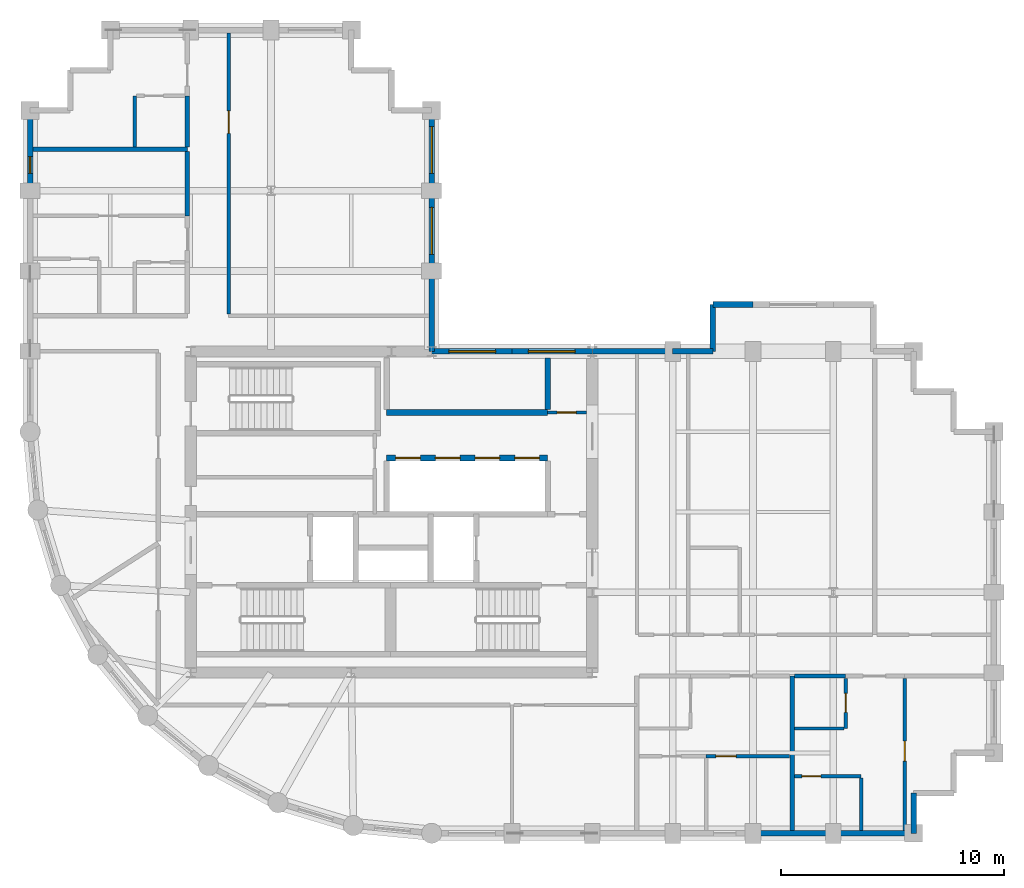
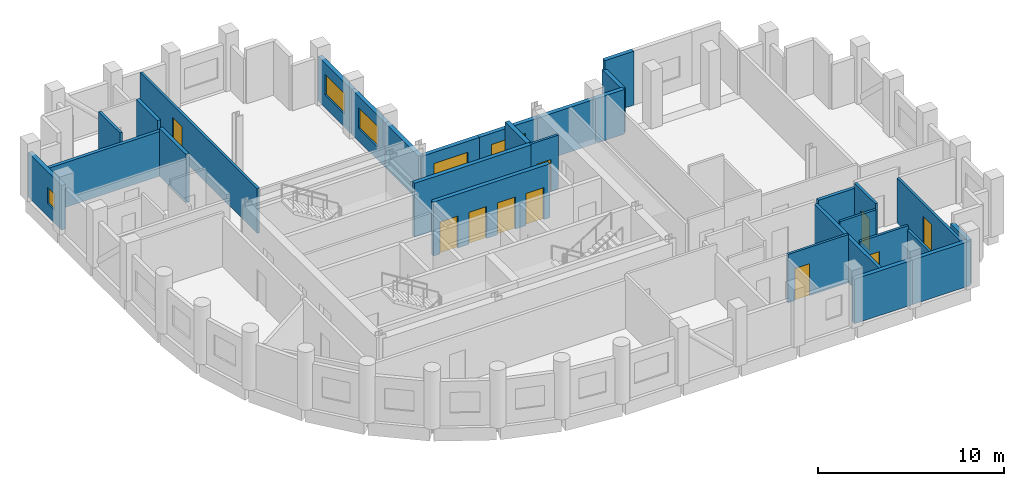
# One storey, part 5 of 8: 30 walls, 10 doors, 5 windows, 15 openings.
"""IFC4 building model written with IfcOpenShell, lengths in metres."""

from ifc_helpers import new_model, si_unit, direction, frame, frame_2d, origin, place, context, subcontext, project, spatial, rectangle, extrude, material, layer, layer_set, type_object, element, fill, save


model = new_model("IFC4")

# Units and contexts
model_context = context("Model", 3, precision=1e-05, world=origin(), true_north=direction((0.0, 1.0)))
body_context = subcontext(model_context, "Body", "Model", "MODEL_VIEW")
ifc_project = project(units=[si_unit("LENGTHUNIT", "METRE"), si_unit("AREAUNIT", "SQUARE_METRE"), si_unit("VOLUMEUNIT", "CUBIC_METRE"), si_unit("PLANEANGLEUNIT", "RADIAN"), si_unit("MASSUNIT", "GRAM", prefix="KILO")], contexts=[model_context])

# Site, building, storey
site_placement = place(None, origin())
site = spatial("IfcSite", under=ifc_project, at=site_placement, CompositionType="ELEMENT")
building_placement = place(site_placement, origin())
building = spatial("IfcBuilding", under=site, at=building_placement, Name="Solnavia Interchange Tower", CompositionType="ELEMENT")
storey_placement = place(building_placement, frame((0.0, 0.0, 186.199951171875)))
storey = spatial("IfcBuildingStorey", under=building, at=storey_placement, Name="L46", CompositionType="ELEMENT", Elevation=186.199951171875)

# Walls
ifc_material_1 = material(Name="Gypsum Acoustic Twin-Stud & Mineral Wool", Category="gypsum")
ifc_layer_1 = layer(ifc_material_1, 0.199951171875)
ifc_layer_set_1 = layer_set([ifc_layer_1], Name="Gypsum Acoustic Twin-Stud & Mineral Wool")
wall_type_1 = type_object("IfcWallType", Name="Wall-ApartmentParty-200", PredefinedType="PARTITIONING", material=ifc_layer_set_1)
wall_1_placement = place(storey_placement, frame((41.35009765625, 3.72900390625, 0.0), z_axis=(0.0, 0.0, 1.0), x_axis=(0.0, 1.0, 0.0)))
element("IfcWall", 1, at=wall_1_placement, inside=storey, type_object=wall_type_1, Name="PTW-L46-16 Interior partition wall", PredefinedType="PARTITIONING", context=body_context, shape_type="SweptSolid", body=[
    extrude(rectangle(XDim=6.9208984375, YDim=0.199951171875, at=frame_2d((3.46044921875, 0.0))), origin(), (0.0, 0.0, 1.0), 2.929931640625),
])
wall_2_placement = place(storey_placement, frame((41.4541015625, 10.64990234375, 0.0), z_axis=(0.0, 0.0, 1.0), x_axis=(1.0, 0.0, 0.0)))
element("IfcWall", 2, at=wall_2_placement, inside=storey, type_object=wall_type_1, Name="PTW-L46-24 Interior partition wall", PredefinedType="PARTITIONING", context=body_context, shape_type="SweptSolid", body=[
    extrude(rectangle(XDim=2.2958984375, YDim=0.199951171875, at=frame_2d((1.14794921875, 0.0))), origin(), (0.0, 0.0, 1.0), 3.170166015625),
])
wall_3_placement = place(storey_placement, frame((7.3291015625, 34.25, 0.0), z_axis=(0.0, 0.0, 1.0), x_axis=(1.0, 0.0, 0.0)))
element("IfcWall", 3, at=wall_3_placement, inside=storey, type_object=wall_type_1, Name="PTW-L46-36 Interior partition wall", PredefinedType="PARTITIONING", context=body_context, shape_type="SweptSolid", body=[
    extrude(rectangle(XDim=6.9208984375, YDim=0.199951171875, at=frame_2d((3.46044921875, 0.0))), origin(), (0.0, 0.0, 1.0), 2.929931640625),
])
wall_4_placement = place(storey_placement, frame((14.25, 31.27001953125, 0.0), z_axis=(0.0, 0.0, 1.0), x_axis=(0.0, 1.0, 0.0)))
element("IfcWall", 4, at=wall_4_placement, inside=storey, type_object=wall_type_1, Name="PTW-L46-41 Interior partition wall", PredefinedType="PARTITIONING", context=body_context, shape_type="SweptSolid", body=[
    extrude(rectangle(XDim=2.8759765625, YDim=0.199951171875, at=frame_2d((1.43798828125, 0.0))), origin(), (0.0, 0.0, 1.0), 3.170166015625),
])
wall_5_placement = place(storey_placement, frame((14.25, 34.35400390625, 0.0), z_axis=(0.0, 0.0, 1.0), x_axis=(0.0, 1.0, 0.0)))
element("IfcWall", 5, at=wall_5_placement, inside=storey, type_object=wall_type_1, Name="PTW-L46-45 Interior partition wall", PredefinedType="PARTITIONING", context=body_context, shape_type="SweptSolid", body=[
    extrude(rectangle(XDim=2.2958984375, YDim=0.199951171875, at=frame_2d((1.14794921875, 0.0))), origin(), (0.0, 0.0, 1.0), 3.53515625),
])
ifc_material_2 = material(Name="Concrete C40/50", Category="concrete")
ifc_layer_2 = layer(ifc_material_2, 0.25)
ifc_layer_set_2 = layer_set([ifc_layer_2], Name="Concrete C40/50")
wall_type_2 = type_object("IfcWallType", Name="Wall-ExtSpandrel-250", PredefinedType="STANDARD", material=ifc_layer_set_2)
wall_6_placement = place(storey_placement, frame((43.199951171875, 3.60009765625, 0.0), z_axis=(0.0, 0.0, 1.0), x_axis=(-1.0, 0.0, 0.0)))
element("IfcWall", 6, at=wall_6_placement, inside=storey, type_object=wall_type_2, Name="EXW-L46-05 Exterior precast spandrel wall", PredefinedType="STANDARD", context=body_context, shape_type="SweptSolid", body=[
    extrude(rectangle(XDim=3.599853515625, YDim=0.25, at=frame_2d((1.7998046875, 0.0))), origin(), (0.0, 0.0, 1.0), 2.929931640625),
])
wall_7_placement = place(storey_placement, frame((46.800048828125, 3.60009765625, 0.0), z_axis=(0.0, 0.0, 1.0), x_axis=(-1.0, 0.0, 0.0)))
element("IfcWall", 7, at=wall_7_placement, inside=storey, type_object=wall_type_2, Name="EXW-L46-06 Exterior precast spandrel wall", PredefinedType="STANDARD", context=body_context, shape_type="SweptSolid", body=[
    extrude(rectangle(XDim=3.60009765625, YDim=0.25, at=frame_2d((1.800048828125, 0.0))), origin(), (0.0, 0.0, 1.0), 2.929931640625),
])
wall_8_placement = place(storey_placement, frame((46.800048828125, 5.39990234375, 0.0), z_axis=(0.0, 0.0, 1.0), x_axis=(0.0, -1.0, 0.0)))
element("IfcWall", 8, at=wall_8_placement, inside=storey, type_object=wall_type_2, Name="EXW-L46-07 Exterior precast spandrel wall", PredefinedType="STANDARD", context=body_context, shape_type="SweptSolid", body=[
    extrude(rectangle(XDim=1.7998046875, YDim=0.25, at=frame_2d((0.89990234375, 0.0))), origin(), (0.0, 0.0, 1.0), 2.929931640625),
])
wall_9_placement = place(storey_placement, frame((37.800048828125, 27.300048828125, 0.0), z_axis=(0.0, 0.0, 1.0), x_axis=(1.0, 0.0, 0.0)))
element("IfcWall", 9, at=wall_9_placement, inside=storey, type_object=wall_type_2, Name="EXW-L46-23 Exterior precast spandrel wall", PredefinedType="STANDARD", context=body_context, shape_type="SweptSolid", body=[
    extrude(rectangle(XDim=1.800048828125, YDim=0.25, at=frame_2d((0.89990234375, 0.0))), origin(), (0.0, 0.0, 1.0), 3.53515625),
])
wall_10_placement = place(storey_placement, frame((37.800048828125, 27.300048828125, 0.0), z_axis=(0.0, 0.0, 1.0), x_axis=(0.0, -1.0, 0.0)))
element("IfcWall", 10, at=wall_10_placement, inside=storey, type_object=wall_type_2, Name="EXW-L46-24 Exterior precast spandrel wall", PredefinedType="STANDARD", context=body_context, shape_type="SweptSolid", body=[
    extrude(rectangle(XDim=2.10009765625, YDim=0.25, at=frame_2d((1.050048828125, 0.0))), origin(), (0.0, 0.0, 1.0), 2.929931640625),
])
wall_11_placement = place(storey_placement, frame((36.0, 25.199951171875, 0.0), z_axis=(0.0, 0.0, 1.0), x_axis=(1.0, 0.0, 0.0)))
element("IfcWall", 11, at=wall_11_placement, inside=storey, type_object=wall_type_2, Name="EXW-L46-25 Exterior precast spandrel wall", PredefinedType="STANDARD", context=body_context, shape_type="SweptSolid", body=[
    extrude(rectangle(XDim=1.800048828125, YDim=0.25, at=frame_2d((0.89990234375, 0.0))), origin(), (0.0, 0.0, 1.0), 2.929931640625),
])
wall_12_placement = place(storey_placement, frame((32.39990234375, 25.199951171875, 0.0), z_axis=(0.0, 0.0, 1.0), x_axis=(1.0, 0.0, 0.0)))
element("IfcWall", 12, at=wall_12_placement, inside=storey, type_object=wall_type_2, Name="EXW-L46-26 Exterior precast spandrel wall", PredefinedType="STANDARD", context=body_context, shape_type="SweptSolid", body=[
    extrude(rectangle(XDim=3.60009765625, YDim=0.25, at=frame_2d((1.800048828125, 0.0))), origin(), (0.0, 0.0, 1.0), 2.929931640625),
])

# Wall, opening, window
wall_13_placement = place(storey_placement, frame((28.800048828125, 25.199951171875, 0.0), z_axis=(0.0, 0.0, 1.0), x_axis=(1.0, 0.0, 0.0)))
wall_13 = element("IfcWall", 13, at=wall_13_placement, inside=storey, type_object=wall_type_2, Name="EXW-L46-27 Exterior precast spandrel wall", PredefinedType="STANDARD", context=body_context, shape_type="SweptSolid", body=[
    extrude(rectangle(XDim=3.599853515625, YDim=0.25, at=frame_2d((1.7998046875, 0.0))), origin(), (0.0, 0.0, 1.0), 2.929931640625),
])
opening_1_placement = place(wall_13_placement, frame((0.73388671875, 0.0, 0.85009765625)))
opening_1 = element("IfcOpeningElement", 14, at=opening_1_placement, cuts=wall_13, Name="Opening WIN-01", PredefinedType="OPENING", context=body_context, shape_type="SweptSolid", body=[
    extrude(rectangle(XDim=2.10009765625, YDim=1.35009765625, at=frame_2d((1.050048828125, 0.675048828125))), frame((0.0, 0.135009765625, 0.0), z_axis=(0.0, -1.0, 0.0), x_axis=(1.0, 0.0, 0.0)), (0.0, 0.0, 1.0), 0.27001953125),
])
ifc_material_3 = material(Name="Thermal-Break Aluminium & Low-E Glass", Category="aluminium")
window_type_1 = type_object("IfcWindowType", Name="Window-Ribbon-2100x1350", PartitioningType="SINGLE_PANEL", PredefinedType="WINDOW", material=ifc_material_3)
window_1_placement = place(opening_1_placement, origin())
window_1 = element("IfcWindow", 15, at=window_1_placement, inside=storey, type_object=window_type_1, Name="WIN-L46-27 Facade ribbon window", OverallHeight=1.35009765625, OverallWidth=2.10009765625, PartitioningType="SINGLE_PANEL", PredefinedType="WINDOW", context=body_context, shape_type="SweptSolid", body=[
    extrude(rectangle(XDim=2.10009765625, YDim=1.35009765625, at=frame_2d((1.050048828125, 0.675048828125))), frame((0.0, 0.030029296875, 0.0), z_axis=(0.0, -1.0, 0.0), x_axis=(1.0, 0.0, 0.0)), (0.0, 0.0, 1.0), 0.06005859375),
])
fill(opening_1, window_1)

wall_14_placement = place(storey_placement, frame((25.199951171875, 25.199951171875, 0.0), z_axis=(0.0, 0.0, 1.0), x_axis=(1.0, 0.0, 0.0)))
wall_14 = element("IfcWall", 16, at=wall_14_placement, inside=storey, type_object=wall_type_2, Name="EXW-L46-28 Exterior precast spandrel wall", PredefinedType="STANDARD", context=body_context, shape_type="SweptSolid", body=[
    extrude(rectangle(XDim=3.60009765625, YDim=0.25, at=frame_2d((1.800048828125, 0.0))), origin(), (0.0, 0.0, 1.0), 2.929931640625),
])
opening_2_placement = place(wall_14_placement, frame((0.76611328125, 0.0, 0.85009765625)))
opening_2 = element("IfcOpeningElement", 17, at=opening_2_placement, cuts=wall_14, Name="Opening WIN-01", PredefinedType="OPENING", context=body_context, shape_type="SweptSolid", body=[
    extrude(rectangle(XDim=2.10009765625, YDim=1.35009765625, at=frame_2d((1.050048828125, 0.675048828125))), frame((0.0, 0.135009765625, 0.0), z_axis=(0.0, -1.0, 0.0), x_axis=(1.0, 0.0, 0.0)), (0.0, 0.0, 1.0), 0.27001953125),
])
window_2_placement = place(opening_2_placement, origin())
window_2 = element("IfcWindow", 18, at=window_2_placement, inside=storey, type_object=window_type_1, Name="WIN-L46-28 Facade ribbon window", OverallHeight=1.35009765625, OverallWidth=2.10009765625, PartitioningType="SINGLE_PANEL", PredefinedType="WINDOW", context=body_context, shape_type="SweptSolid", body=[
    extrude(rectangle(XDim=2.10009765625, YDim=1.35009765625, at=frame_2d((1.050048828125, 0.675048828125))), frame((0.0, 0.030029296875, 0.0), z_axis=(0.0, -1.0, 0.0), x_axis=(1.0, 0.0, 0.0)), (0.0, 0.0, 1.0), 0.06005859375),
])
fill(opening_2, window_2)

# Wall
wall_15_placement = place(storey_placement, frame((25.199951171875, 25.199951171875, 0.0), z_axis=(0.0, 0.0, 1.0), x_axis=(0.0, 1.0, 0.0)))
element("IfcWall", 19, at=wall_15_placement, inside=storey, type_object=wall_type_2, Name="EXW-L46-29 Exterior precast spandrel wall", PredefinedType="STANDARD", context=body_context, shape_type="SweptSolid", body=[
    extrude(rectangle(XDim=3.60009765625, YDim=0.25, at=frame_2d((1.800048828125, 0.0))), origin(), (0.0, 0.0, 1.0), 2.929931640625),
])

# Wall, opening, window
wall_16_placement = place(storey_placement, frame((25.199951171875, 28.800048828125, 0.0), z_axis=(0.0, 0.0, 1.0), x_axis=(0.0, 1.0, 0.0)))
wall_16 = element("IfcWall", 20, at=wall_16_placement, inside=storey, type_object=wall_type_2, Name="EXW-L46-30 Exterior precast spandrel wall", PredefinedType="STANDARD", context=body_context, shape_type="SweptSolid", body=[
    extrude(rectangle(XDim=3.599853515625, YDim=0.25, at=frame_2d((1.7998046875, 0.0))), origin(), (0.0, 0.0, 1.0), 2.929931640625),
])
opening_3_placement = place(wall_16_placement, frame((0.75, 0.0, 0.85009765625)))
opening_3 = element("IfcOpeningElement", 21, at=opening_3_placement, cuts=wall_16, Name="Opening WIN-01", PredefinedType="OPENING", context=body_context, shape_type="SweptSolid", body=[
    extrude(rectangle(XDim=2.10009765625, YDim=1.35009765625, at=frame_2d((1.050048828125, 0.675048828125))), frame((0.0, 0.135009765625, 0.0), z_axis=(0.0, -1.0, 0.0), x_axis=(1.0, 0.0, 0.0)), (0.0, 0.0, 1.0), 0.27001953125),
])
window_3_placement = place(opening_3_placement, origin())
window_3 = element("IfcWindow", 22, at=window_3_placement, inside=storey, type_object=window_type_1, Name="WIN-L46-30 Facade ribbon window", OverallHeight=1.35009765625, OverallWidth=2.10009765625, PartitioningType="SINGLE_PANEL", PredefinedType="WINDOW", context=body_context, shape_type="SweptSolid", body=[
    extrude(rectangle(XDim=2.10009765625, YDim=1.35009765625, at=frame_2d((1.050048828125, 0.675048828125))), frame((0.0, 0.030029296875, 0.0), z_axis=(0.0, -1.0, 0.0), x_axis=(1.0, 0.0, 0.0)), (0.0, 0.0, 1.0), 0.06005859375),
])
fill(opening_3, window_3)

wall_17_placement = place(storey_placement, frame((25.199951171875, 32.39990234375, 0.0), z_axis=(0.0, 0.0, 1.0), x_axis=(0.0, 1.0, 0.0)))
wall_17 = element("IfcWall", 23, at=wall_17_placement, inside=storey, type_object=wall_type_2, Name="EXW-L46-31 Exterior precast spandrel wall", PredefinedType="STANDARD", context=body_context, shape_type="SweptSolid", body=[
    extrude(rectangle(XDim=3.60009765625, YDim=0.25, at=frame_2d((1.800048828125, 0.0))), origin(), (0.0, 0.0, 1.0), 2.929931640625),
])
opening_4_placement = place(wall_17_placement, frame((0.77490234375, 0.0, 0.85009765625)))
opening_4 = element("IfcOpeningElement", 24, at=opening_4_placement, cuts=wall_17, Name="Opening WIN-01", PredefinedType="OPENING", context=body_context, shape_type="SweptSolid", body=[
    extrude(rectangle(XDim=2.10009765625, YDim=1.35009765625, at=frame_2d((1.050048828125, 0.675048828125))), frame((0.0, 0.135009765625, 0.0), z_axis=(0.0, -1.0, 0.0), x_axis=(1.0, 0.0, 0.0)), (0.0, 0.0, 1.0), 0.27001953125),
])
window_4_placement = place(opening_4_placement, origin())
window_4 = element("IfcWindow", 25, at=window_4_placement, inside=storey, type_object=window_type_1, Name="WIN-L46-31 Facade ribbon window", OverallHeight=1.35009765625, OverallWidth=2.10009765625, PartitioningType="SINGLE_PANEL", PredefinedType="WINDOW", context=body_context, shape_type="SweptSolid", body=[
    extrude(rectangle(XDim=2.10009765625, YDim=1.35009765625, at=frame_2d((1.050048828125, 0.675048828125))), frame((0.0, 0.030029296875, 0.0), z_axis=(0.0, -1.0, 0.0), x_axis=(1.0, 0.0, 0.0)), (0.0, 0.0, 1.0), 0.06005859375),
])
fill(opening_4, window_4)

wall_18_placement = place(storey_placement, frame((7.199951171875, 32.39990234375, 0.0), z_axis=(0.0, 0.0, 1.0), x_axis=(0.0, 1.0, 0.0)))
wall_18 = element("IfcWall", 26, at=wall_18_placement, inside=storey, type_object=wall_type_2, Name="EXW-L46-43 Exterior precast spandrel wall", PredefinedType="STANDARD", context=body_context, shape_type="SweptSolid", body=[
    extrude(rectangle(XDim=3.60009765625, YDim=0.25, at=frame_2d((1.800048828125, 0.0))), origin(), (0.0, 0.0, 1.0), 2.929931640625),
])
opening_5_placement = place(wall_18_placement, frame((0.77294921875, 0.0, 0.85009765625)))
opening_5 = element("IfcOpeningElement", 27, at=opening_5_placement, cuts=wall_18, Name="Opening WIN-08", PredefinedType="OPENING", context=body_context, shape_type="SweptSolid", body=[
    extrude(rectangle(XDim=0.75, YDim=1.050048828125, at=frame_2d((0.375, 0.52490234375))), frame((0.0, 0.135009765625, 0.0), z_axis=(0.0, -1.0, 0.0), x_axis=(1.0, 0.0, 0.0)), (0.0, 0.0, 1.0), 0.27001953125),
])
window_type_2 = type_object("IfcWindowType", Name="Window-Bedroom-750x1050", PartitioningType="SINGLE_PANEL", PredefinedType="WINDOW", material=ifc_material_3)
window_5_placement = place(opening_5_placement, origin())
window_5 = element("IfcWindow", 28, at=window_5_placement, inside=storey, type_object=window_type_2, Name="WIN-L46-DW02 Dwelling bedroom window", OverallHeight=1.050048828125, OverallWidth=0.75, PartitioningType="SINGLE_PANEL", PredefinedType="WINDOW", context=body_context, shape_type="SweptSolid", body=[
    extrude(rectangle(XDim=0.75, YDim=1.050048828125, at=frame_2d((0.375, 0.52490234375))), frame((0.0, 0.030029296875, 0.0), z_axis=(0.0, -1.0, 0.0), x_axis=(1.0, 0.0, 0.0)), (0.0, 0.0, 1.0), 0.06005859375),
])
fill(opening_5, window_5)

# Wall, opening, door
ifc_material_4 = material(Name="Gypsum Plasterboard & Steel Stud", Category="steel")
ifc_layer_3 = layer(ifc_material_4, 0.14990234375)
ifc_layer_set_3 = layer_set([ifc_layer_3], Name="Gypsum Plasterboard & Steel Stud")
wall_type_3 = type_object("IfcWallType", Name="Wall-Partition-150", PredefinedType="PARTITIONING", material=ifc_layer_set_3)
wall_19_placement = place(storey_placement, frame((30.39990234375, 22.4599609375, 0.0), z_axis=(0.0, 0.0, 1.0), x_axis=(1.0, 0.0, 0.0)))
wall_19 = element("IfcWall", 29, at=wall_19_placement, inside=storey, type_object=wall_type_3, Name="CSW-L46-NE-S Core shaft wall", PredefinedType="PARTITIONING", context=body_context, shape_type="SweptSolid", body=[
    extrude(rectangle(XDim=1.75, YDim=0.14990234375, at=frame_2d((0.875, 0.0))), origin(), (0.0, 0.0, 1.0), 3.53515625),
])
opening_6_placement = place(wall_19_placement, frame((0.419921875, 0.0, 0.0)))
opening_6 = element("IfcOpeningElement", 30, at=opening_6_placement, cuts=wall_19, Name="Opening DR-10", PredefinedType="OPENING", context=body_context, shape_type="SweptSolid", body=[
    extrude(rectangle(XDim=0.85009765625, YDim=2.10009765625, at=frame_2d((0.425048828125, 1.050048828125))), frame((0.0, 0.0849609375, 0.0), z_axis=(0.0, -1.0, 0.0), x_axis=(1.0, 0.0, 0.0)), (0.0, 0.0, 1.0), 0.169921875),
])
ifc_material_5 = material(Name="Moisture-Resistant Timber Door", Category="wood")
door_type_1 = type_object("IfcDoorType", Name="Door-Bathroom-850x2100", OperationType="SINGLE_SWING_RIGHT", PredefinedType="DOOR", material=ifc_material_5)
door_1_placement = place(opening_6_placement, origin())
door_1 = element("IfcDoor", 31, at=door_1_placement, inside=storey, type_object=door_type_1, Name="DR-L46-CS3 Core fire door", OperationType="SINGLE_SWING_RIGHT", OverallHeight=2.10009765625, OverallWidth=0.85009765625, PredefinedType="DOOR", context=body_context, shape_type="SweptSolid", body=[
    extrude(rectangle(XDim=0.85009765625, YDim=2.10009765625, at=frame_2d((0.425048828125, 1.050048828125))), frame((0.0, 0.02490234375, 0.0), z_axis=(0.0, -1.0, 0.0), x_axis=(1.0, 0.0, 0.0)), (0.0, 0.0, 1.0), 0.050048828125),
])
fill(opening_6, door_1)

wall_20_placement = place(storey_placement, frame((37.5, 7.050048828125, 0.0), z_axis=(0.0, 0.0, 1.0), x_axis=(1.0, 0.0, 0.0)))
wall_20 = element("IfcWall", 32, at=wall_20_placement, inside=storey, type_object=wall_type_3, Name="PTW-L46-21 Interior partition wall", PredefinedType="PARTITIONING", context=body_context, shape_type="SweptSolid", body=[
    extrude(rectangle(XDim=3.74609375, YDim=0.14990234375, at=frame_2d((1.873046875, 0.0))), origin(), (0.0, 0.0, 1.0), 3.170166015625),
])
opening_7_placement = place(wall_20_placement, frame((0.43994140625, 0.0, 0.0)))
opening_7 = element("IfcOpeningElement", 33, at=opening_7_placement, cuts=wall_20, Name="Opening DR-09", PredefinedType="OPENING", context=body_context, shape_type="SweptSolid", body=[
    extrude(rectangle(XDim=0.89990234375, YDim=2.10009765625, at=frame_2d((0.449951171875, 1.050048828125))), frame((0.0, 0.0849609375, 0.0), z_axis=(0.0, -1.0, 0.0), x_axis=(1.0, 0.0, 0.0)), (0.0, 0.0, 1.0), 0.169921875),
])
ifc_material_6 = material(Name="Engineered Oak Veneer Door", Category="wood")
door_type_2 = type_object("IfcDoorType", Name="Door-Internal-900x2100", OperationType="SINGLE_SWING_LEFT", PredefinedType="DOOR", material=ifc_material_6)
door_2_placement = place(opening_7_placement, origin())
door_2 = element("IfcDoor", 34, at=door_2_placement, inside=storey, type_object=door_type_2, Name="DR-L46-09 Interior room door", OperationType="SINGLE_SWING_RIGHT", OverallHeight=2.10009765625, OverallWidth=0.89990234375, PredefinedType="DOOR", context=body_context, shape_type="SweptSolid", body=[
    extrude(rectangle(XDim=0.89990234375, YDim=2.10009765625, at=frame_2d((0.449951171875, 1.050048828125))), frame((0.0, 0.02490234375, 0.0), z_axis=(0.0, -1.0, 0.0), x_axis=(1.0, 0.0, 0.0)), (0.0, 0.0, 1.0), 0.050048828125),
])
fill(opening_7, door_2)

wall_21_placement = place(storey_placement, frame((46.39990234375, 3.72900390625, 0.0), z_axis=(0.0, 0.0, 1.0), x_axis=(0.0, 1.0, 0.0)))
wall_21 = element("IfcWall", 35, at=wall_21_placement, inside=storey, type_object=wall_type_3, Name="PTW-L46-29 Interior partition wall", PredefinedType="PARTITIONING", context=body_context, shape_type="SweptSolid", body=[
    extrude(rectangle(XDim=6.81689453125, YDim=0.14990234375, at=frame_2d((3.408447265625, 0.0))), origin(), (0.0, 0.0, 1.0), 2.929931640625),
])
opening_8_placement = place(wall_21_placement, frame((3.10595703125, 0.0, 0.0)))
opening_8 = element("IfcOpeningElement", 36, at=opening_8_placement, cuts=wall_21, Name="Opening DR-09", PredefinedType="OPENING", context=body_context, shape_type="SweptSolid", body=[
    extrude(rectangle(XDim=0.89990234375, YDim=2.10009765625, at=frame_2d((0.449951171875, 1.050048828125))), frame((0.0, 0.0849609375, 0.0), z_axis=(0.0, -1.0, 0.0), x_axis=(1.0, 0.0, 0.0)), (0.0, 0.0, 1.0), 0.169921875),
])
door_3_placement = place(opening_8_placement, origin())
door_3 = element("IfcDoor", 37, at=door_3_placement, inside=storey, type_object=door_type_2, Name="DR-L46-13 Interior room door", OperationType="SINGLE_SWING_RIGHT", OverallHeight=2.10009765625, OverallWidth=0.89990234375, PredefinedType="DOOR", context=body_context, shape_type="SweptSolid", body=[
    extrude(rectangle(XDim=0.89990234375, YDim=2.10009765625, at=frame_2d((0.449951171875, 1.050048828125))), frame((0.0, 0.02490234375, 0.0), z_axis=(0.0, -1.0, 0.0), x_axis=(1.0, 0.0, 0.0)), (0.0, 0.0, 1.0), 0.050048828125),
])
fill(opening_8, door_3)

wall_22_placement = place(storey_placement, frame((16.10009765625, 26.87890625, 0.0), z_axis=(0.0, 0.0, 1.0), x_axis=(0.0, 1.0, 0.0)))
wall_22 = element("IfcWall", 38, at=wall_22_placement, inside=storey, type_object=wall_type_3, Name="PTW-L46-50 Interior partition wall", PredefinedType="PARTITIONING", context=body_context, shape_type="SweptSolid", body=[
    extrude(rectangle(XDim=12.592041015625, YDim=0.14990234375, at=frame_2d((6.2958984375, 0.0))), origin(), (0.0, 0.0, 1.0), 2.929931640625),
])
opening_9_placement = place(wall_22_placement, frame((8.093017578125, 0.0, 0.0)))
opening_9 = element("IfcOpeningElement", 39, at=opening_9_placement, cuts=wall_22, Name="Opening DR-07", PredefinedType="OPENING", context=body_context, shape_type="SweptSolid", body=[
    extrude(rectangle(XDim=1.0, YDim=2.10009765625, at=frame_2d((0.5, 1.050048828125))), frame((0.0, 0.0849609375, 0.0), z_axis=(0.0, -1.0, 0.0), x_axis=(1.0, 0.0, 0.0)), (0.0, 0.0, 1.0), 0.169921875),
])
ifc_material_7 = material(Name="Timber & Acoustic Glazed Office Door", Category="wood")
door_type_3 = type_object("IfcDoorType", Name="Door-Office-1000x2100", OperationType="SINGLE_SWING_RIGHT", PredefinedType="DOOR", material=ifc_material_7)
door_4_placement = place(opening_9_placement, origin())
door_4 = element("IfcDoor", 40, at=door_4_placement, inside=storey, type_object=door_type_3, Name="DR-L46-23 Interior room door", OperationType="SINGLE_SWING_LEFT", OverallHeight=2.10009765625, OverallWidth=1.0, PredefinedType="DOOR", context=body_context, shape_type="SweptSolid", body=[
    extrude(rectangle(XDim=1.0, YDim=2.10009765625, at=frame_2d((0.5, 1.050048828125))), frame((0.0, 0.02490234375, 0.0), z_axis=(0.0, -1.0, 0.0), x_axis=(1.0, 0.0, 0.0)), (0.0, 0.0, 1.0), 0.050048828125),
])
fill(opening_9, door_4)

# Wall, openings, doors
ifc_layer_4 = layer(ifc_material_2, 0.25)
ifc_layer_set_4 = layer_set([ifc_layer_4], Name="Concrete C40/50")
wall_type_4 = type_object("IfcWallType", Name="Wall-ShaftPart-250", PredefinedType="PARTITIONING", material=ifc_layer_set_4)
wall_23_placement = place(storey_placement, frame((23.179931640625, 20.419921875, 0.0), z_axis=(0.0, 0.0, 1.0), x_axis=(1.0, 0.0, 0.0)))
wall_23 = element("IfcWall", 41, at=wall_23_placement, inside=storey, type_object=wall_type_4, Name="SHW-L46-B2N Core shaft wall", PredefinedType="PARTITIONING", context=body_context, shape_type="SweptSolid", body=[
    extrude(rectangle(XDim=7.219970703125, YDim=0.25, at=frame_2d((3.60986328125, 0.0))), origin(), (0.0, 0.0, 1.0), 3.53515625),
])
opening_10_placement = place(wall_23_placement, frame((0.409912109375, 0.0, 0.0)))
opening_10 = element("IfcOpeningElement", 42, at=opening_10_placement, cuts=wall_23, Name="Opening LD-01", PredefinedType="OPENING", context=body_context, shape_type="SweptSolid", body=[
    extrude(rectangle(XDim=1.10009765625, YDim=2.10009765625, at=frame_2d((0.550048828125, 1.050048828125))), frame((0.0, 0.135009765625, 0.0), z_axis=(0.0, -1.0, 0.0), x_axis=(1.0, 0.0, 0.0)), (0.0, 0.0, 1.0), 0.27001953125),
])
opening_11_placement = place(wall_23_placement, frame((2.18994140625, 0.0, 0.0)))
opening_11 = element("IfcOpeningElement", 43, at=opening_11_placement, cuts=wall_23, Name="Opening LD-01", PredefinedType="OPENING", context=body_context, shape_type="SweptSolid", body=[
    extrude(rectangle(XDim=1.10009765625, YDim=2.10009765625, at=frame_2d((0.550048828125, 1.050048828125))), frame((0.0, 0.135009765625, 0.0), z_axis=(0.0, -1.0, 0.0), x_axis=(1.0, 0.0, 0.0)), (0.0, 0.0, 1.0), 0.27001953125),
])
opening_12_placement = place(wall_23_placement, frame((3.969970703125, 0.0, 0.0)))
opening_12 = element("IfcOpeningElement", 44, at=opening_12_placement, cuts=wall_23, Name="Opening LD-01", PredefinedType="OPENING", context=body_context, shape_type="SweptSolid", body=[
    extrude(rectangle(XDim=1.10009765625, YDim=2.10009765625, at=frame_2d((0.550048828125, 1.050048828125))), frame((0.0, 0.135009765625, 0.0), z_axis=(0.0, -1.0, 0.0), x_axis=(1.0, 0.0, 0.0)), (0.0, 0.0, 1.0), 0.27001953125),
])
opening_13_placement = place(wall_23_placement, frame((5.75, 0.0, 0.0)))
opening_13 = element("IfcOpeningElement", 45, at=opening_13_placement, cuts=wall_23, Name="Opening LD-01", PredefinedType="OPENING", context=body_context, shape_type="SweptSolid", body=[
    extrude(rectangle(XDim=1.10009765625, YDim=2.10009765625, at=frame_2d((0.550048828125, 1.050048828125))), frame((0.0, 0.135009765625, 0.0), z_axis=(0.0, -1.0, 0.0), x_axis=(1.0, 0.0, 0.0)), (0.0, 0.0, 1.0), 0.27001953125),
])
ifc_material_8 = material(Name="Brushed Stainless Steel Sliding Door", Category="steel")
door_type_4 = type_object("IfcDoorType", Name="Door-LiftLanding-1100x2100", OperationType="SLIDING_TO_LEFT", PredefinedType="DOOR", material=ifc_material_8)
door_5_placement = place(opening_10_placement, origin())
door_5 = element("IfcDoor", 46, at=door_5_placement, inside=storey, type_object=door_type_4, Name="LD-L46-B2-1 Lift landing sliding door", OperationType="SLIDING_TO_LEFT", OverallHeight=2.10009765625, OverallWidth=1.10009765625, PredefinedType="DOOR", context=body_context, shape_type="SweptSolid", body=[
    extrude(rectangle(XDim=1.10009765625, YDim=2.10009765625, at=frame_2d((0.550048828125, 1.050048828125))), frame((0.0, 0.02490234375, 0.0), z_axis=(0.0, -1.0, 0.0), x_axis=(1.0, 0.0, 0.0)), (0.0, 0.0, 1.0), 0.050048828125),
])
fill(opening_10, door_5)
door_6_placement = place(opening_11_placement, origin())
door_6 = element("IfcDoor", 47, at=door_6_placement, inside=storey, type_object=door_type_4, Name="LD-L46-B2-2 Lift landing sliding door", OperationType="SLIDING_TO_LEFT", OverallHeight=2.10009765625, OverallWidth=1.10009765625, PredefinedType="DOOR", context=body_context, shape_type="SweptSolid", body=[
    extrude(rectangle(XDim=1.10009765625, YDim=2.10009765625, at=frame_2d((0.550048828125, 1.050048828125))), frame((0.0, 0.02490234375, 0.0), z_axis=(0.0, -1.0, 0.0), x_axis=(1.0, 0.0, 0.0)), (0.0, 0.0, 1.0), 0.050048828125),
])
fill(opening_11, door_6)
door_7_placement = place(opening_12_placement, origin())
door_7 = element("IfcDoor", 48, at=door_7_placement, inside=storey, type_object=door_type_4, Name="LD-L46-B2-3 Lift landing sliding door", OperationType="SLIDING_TO_LEFT", OverallHeight=2.10009765625, OverallWidth=1.10009765625, PredefinedType="DOOR", context=body_context, shape_type="SweptSolid", body=[
    extrude(rectangle(XDim=1.10009765625, YDim=2.10009765625, at=frame_2d((0.550048828125, 1.050048828125))), frame((0.0, 0.02490234375, 0.0), z_axis=(0.0, -1.0, 0.0), x_axis=(1.0, 0.0, 0.0)), (0.0, 0.0, 1.0), 0.050048828125),
])
fill(opening_12, door_7)
door_8_placement = place(opening_13_placement, origin())
door_8 = element("IfcDoor", 49, at=door_8_placement, inside=storey, type_object=door_type_4, Name="LD-L46-B2-4 Lift landing sliding door", OperationType="SLIDING_TO_LEFT", OverallHeight=2.10009765625, OverallWidth=1.10009765625, PredefinedType="DOOR", context=body_context, shape_type="SweptSolid", body=[
    extrude(rectangle(XDim=1.10009765625, YDim=2.10009765625, at=frame_2d((0.550048828125, 1.050048828125))), frame((0.0, 0.02490234375, 0.0), z_axis=(0.0, -1.0, 0.0), x_axis=(1.0, 0.0, 0.0)), (0.0, 0.0, 1.0), 0.050048828125),
])
fill(opening_13, door_8)

# Walls
wall_24_placement = place(storey_placement, frame((23.179931640625, 22.4599609375, 0.0), z_axis=(0.0, 0.0, 1.0), x_axis=(1.0, 0.0, 0.0)))
element("IfcWall", 50, at=wall_24_placement, inside=storey, type_object=wall_type_4, Name="SHW-L46-B3S Core shaft wall", PredefinedType="PARTITIONING", context=body_context, shape_type="SweptSolid", body=[
    extrude(rectangle(XDim=7.219970703125, YDim=0.25, at=frame_2d((3.60986328125, 0.0))), origin(), (0.0, 0.0, 1.0), 3.53515625),
])
wall_25_placement = place(storey_placement, frame((30.39990234375, 22.5849609375, 0.0), z_axis=(0.0, 0.0, 1.0), x_axis=(0.0, 1.0, 0.0)))
element("IfcWall", 51, at=wall_25_placement, inside=storey, type_object=wall_type_4, Name="SHW-L46-B3E Core shaft wall", PredefinedType="PARTITIONING", context=body_context, shape_type="SweptSolid", body=[
    extrude(rectangle(XDim=2.31494140625, YDim=0.25, at=frame_2d((1.157470703125, 0.0))), origin(), (0.0, 0.0, 1.0), 3.53515625),
])

# Wall, opening, door
ifc_material_9 = material(Name="Moisture-Resistant Gypsum & Steel Stud", Category="steel")
ifc_layer_5 = layer(ifc_material_9, 0.14990234375)
ifc_layer_set_5 = layer_set([ifc_layer_5], Name="Moisture-Resistant Gypsum & Steel Stud")
wall_type_5 = type_object("IfcWallType", Name="Wall-WetRoom-150", PredefinedType="PARTITIONING", material=ifc_layer_set_5)
wall_26_placement = place(storey_placement, frame((43.75, 8.300048828125, 0.0), z_axis=(0.0, 0.0, 1.0), x_axis=(0.0, 1.0, 0.0)))
wall_26 = element("IfcWall", 52, at=wall_26_placement, inside=storey, type_object=wall_type_5, Name="PTW-L46-25 Interior partition wall", PredefinedType="PARTITIONING", context=body_context, shape_type="SweptSolid", body=[
    extrude(rectangle(XDim=2.245849609375, YDim=0.14990234375, at=frame_2d((1.123046875, 0.0))), origin(), (0.0, 0.0, 1.0), 3.53515625),
])
opening_14_placement = place(wall_26_placement, frame((0.719970703125, 0.0, 0.0)))
opening_14 = element("IfcOpeningElement", 53, at=opening_14_placement, cuts=wall_26, Name="Opening DR-10", PredefinedType="OPENING", context=body_context, shape_type="SweptSolid", body=[
    extrude(rectangle(XDim=0.85009765625, YDim=2.10009765625, at=frame_2d((0.425048828125, 1.050048828125))), frame((0.0, 0.0849609375, 0.0), z_axis=(0.0, -1.0, 0.0), x_axis=(1.0, 0.0, 0.0)), (0.0, 0.0, 1.0), 0.169921875),
])
door_9_placement = place(opening_14_placement, origin())
door_9 = element("IfcDoor", 54, at=door_9_placement, inside=storey, type_object=door_type_1, Name="DR-L46-11 Interior room door", OperationType="SINGLE_SWING_RIGHT", OverallHeight=2.10009765625, OverallWidth=0.85009765625, PredefinedType="DOOR", context=body_context, shape_type="SweptSolid", body=[
    extrude(rectangle(XDim=0.85009765625, YDim=2.10009765625, at=frame_2d((0.425048828125, 1.050048828125))), frame((0.0, 0.02490234375, 0.0), z_axis=(0.0, -1.0, 0.0), x_axis=(1.0, 0.0, 0.0)), (0.0, 0.0, 1.0), 0.050048828125),
])
fill(opening_14, door_9)

# Wall
wall_27_placement = place(storey_placement, frame((41.4541015625, 8.300048828125, 0.0), z_axis=(0.0, 0.0, 1.0), x_axis=(1.0, 0.0, 0.0)))
element("IfcWall", 55, at=wall_27_placement, inside=storey, type_object=wall_type_5, Name="PTW-L46-26 Interior partition wall", PredefinedType="PARTITIONING", context=body_context, shape_type="SweptSolid", body=[
    extrude(rectangle(XDim=2.216796875, YDim=0.14990234375, at=frame_2d((1.1083984375, 0.0))), origin(), (0.0, 0.0, 1.0), 3.179931640625),
])

# Wall, opening, door
wall_28_placement = place(storey_placement, frame((41.4541015625, 6.14990234375, 0.0), z_axis=(0.0, 0.0, 1.0), x_axis=(1.0, 0.0, 0.0)))
wall_28 = element("IfcWall", 56, at=wall_28_placement, inside=storey, type_object=wall_type_5, Name="PTW-L46-30 Interior partition wall", PredefinedType="PARTITIONING", context=body_context, shape_type="SweptSolid", body=[
    extrude(rectangle(XDim=2.995849609375, YDim=0.14990234375, at=frame_2d((1.498046875, 0.0))), origin(), (0.0, 0.0, 1.0), 3.179931640625),
])
opening_15_placement = place(wall_28_placement, frame((0.3330078125, 0.0, 0.0)))
opening_15 = element("IfcOpeningElement", 57, at=opening_15_placement, cuts=wall_28, Name="Opening DR-10", PredefinedType="OPENING", context=body_context, shape_type="SweptSolid", body=[
    extrude(rectangle(XDim=0.85009765625, YDim=2.10009765625, at=frame_2d((0.425048828125, 1.050048828125))), frame((0.0, 0.0849609375, 0.0), z_axis=(0.0, -1.0, 0.0), x_axis=(1.0, 0.0, 0.0)), (0.0, 0.0, 1.0), 0.169921875),
])
door_10_placement = place(opening_15_placement, origin())
door_10 = element("IfcDoor", 58, at=door_10_placement, inside=storey, type_object=door_type_1, Name="DR-L46-14 Interior room door", OperationType="SINGLE_SWING_LEFT", OverallHeight=2.10009765625, OverallWidth=0.85009765625, PredefinedType="DOOR", context=body_context, shape_type="SweptSolid", body=[
    extrude(rectangle(XDim=0.85009765625, YDim=2.10009765625, at=frame_2d((0.425048828125, 1.050048828125))), frame((0.0, 0.02490234375, 0.0), z_axis=(0.0, -1.0, 0.0), x_axis=(1.0, 0.0, 0.0)), (0.0, 0.0, 1.0), 0.050048828125),
])
fill(opening_15, door_10)

# Walls
wall_29_placement = place(storey_placement, frame((44.449951171875, 3.72900390625, 0.0), z_axis=(0.0, 0.0, 1.0), x_axis=(0.0, 1.0, 0.0)))
element("IfcWall", 59, at=wall_29_placement, inside=storey, type_object=wall_type_5, Name="PTW-L46-31 Interior partition wall", PredefinedType="PARTITIONING", context=body_context, shape_type="SweptSolid", body=[
    extrude(rectangle(XDim=2.342041015625, YDim=0.14990234375, at=frame_2d((1.1708984375, 0.0))), origin(), (0.0, 0.0, 1.0), 2.929931640625),
])
wall_30_placement = place(storey_placement, frame((11.89990234375, 34.35400390625, 0.0), z_axis=(0.0, 0.0, 1.0), x_axis=(0.0, 1.0, 0.0)))
element("IfcWall", 60, at=wall_30_placement, inside=storey, type_object=wall_type_5, Name="PTW-L46-46 Interior partition wall", PredefinedType="PARTITIONING", context=body_context, shape_type="SweptSolid", body=[
    extrude(rectangle(XDim=2.2958984375, YDim=0.14990234375, at=frame_2d((1.14794921875, 0.0))), origin(), (0.0, 0.0, 1.0), 3.53515625),
])

save(model, "model.ifc")
